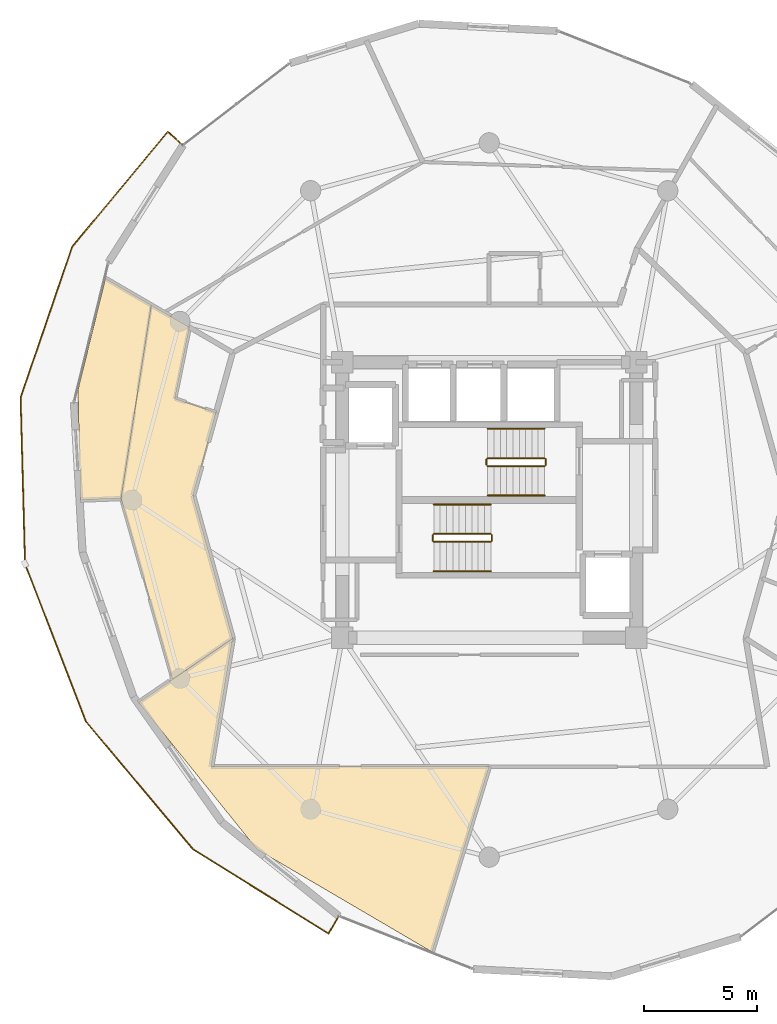
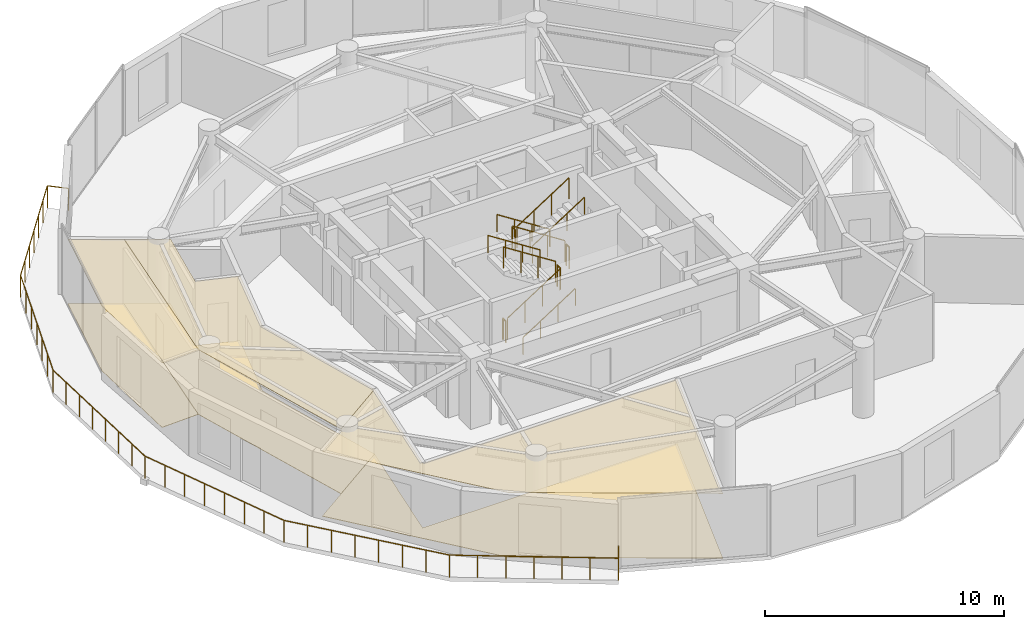
# One storey, part 17 of 18: 13 railings, 6 coverings.
"""IFC4 building model written with IfcOpenShell, lengths in metres."""

from ifc_helpers import new_model, si_unit, direction, frame, origin, origin_2d, place, context, subcontext, project, spatial, polyline, circle, outline, extrude, material, layer, layer_set, type_object, element, save


model = new_model("IFC4")

# Units and contexts
model_context = context("Model", 3, precision=1e-05, world=origin(), true_north=direction((0.0, 1.0)))
body_context = subcontext(model_context, "Body", "Model", "MODEL_VIEW")
ifc_project = project(units=[si_unit("LENGTHUNIT", "METRE"), si_unit("AREAUNIT", "SQUARE_METRE"), si_unit("VOLUMEUNIT", "CUBIC_METRE"), si_unit("PLANEANGLEUNIT", "RADIAN"), si_unit("MASSUNIT", "GRAM", prefix="KILO")], contexts=[model_context])

# Site, building, storey
site_placement = place(None, origin())
site = spatial("IfcSite", under=ifc_project, at=site_placement, CompositionType="ELEMENT")
building_placement = place(site_placement, origin())
building = spatial("IfcBuilding", under=site, at=building_placement, Name="Solvirekh Grand Hotel", CompositionType="ELEMENT")
storey_placement = place(building_placement, frame((0.0, 0.0, 198.39990234375)))
storey = spatial("IfcBuildingStorey", under=building, at=storey_placement, Name="L51", CompositionType="ELEMENT", Elevation=198.39990234375)

# Coverings
ifc_material_1 = material(Name="Acoustic Mineral Ceiling Tile")
ifc_layer_1 = layer(ifc_material_1, 0.02490234375)
ifc_layer_set_1 = layer_set([ifc_layer_1], Name="Acoustic Mineral Ceiling Tile")
covering_type_1 = type_object("IfcCoveringType", Name="Cov_Ceiling_Acoustic", PredefinedType="CEILING", material=ifc_layer_set_1)
covering_1_placement = place(storey_placement, frame((0.0, 0.0, 3.31005859375)))
element("IfcCovering", 1, at=covering_1_placement, inside=storey, type_object=covering_type_1, Name="L51 Executive Suite 5302 Living Room acoustic ceiling", PredefinedType="CEILING", context=body_context, shape_type="SweptSolid", body=[
    extrude(outline(polyline([(-13.904052734375, 4.486083984375), (-13.260009765625, 7.638916015625), (-14.949951171875, 8.6220703125), (-16.2890625, 0.072021484375), (-14.012939453125, -7.93701171875), (-11.344970703125, -6.125), (-13.10009765625, 0.199951171875), (-12.08203125, 3.868896484375), (-13.904052734375, 4.486083984375)])), origin(), (0.0, 0.0, 1.0), 0.01806640625),
])
covering_2_placement = place(storey_placement, frame((0.0, 0.0, 3.31005859375)))
element("IfcCovering", 2, at=covering_2_placement, inside=storey, type_object=covering_type_1, Name="L51 Executive Suite 5302 Master Bedroom acoustic ceiling", PredefinedType="CEILING", context=body_context, shape_type="SweptSolid", body=[
    extrude(outline(polyline([(-16.97802734375, 9.802001953125), (-18.19189453125, 4.875), (-18.0830078125, 0.0), (-16.2890625, 0.072021484375), (-14.949951171875, 8.6220703125), (-16.97802734375, 9.802001953125)])), origin(), (0.0, 0.0, 1.0), 0.01806640625),
])
covering_3_placement = place(storey_placement, frame((0.0, 0.0, 3.31005859375)))
element("IfcCovering", 3, at=covering_3_placement, inside=storey, type_object=covering_type_1, Name="L51 L51 Private Tea & Study Lounge acoustic ceiling", PredefinedType="CEILING", context=body_context, shape_type="SweptSolid", body=[
    extrude(outline(polyline([(-15.512939453125, -8.95703125), (-10.26904296875, -15.4560546875), (-2.52587890625, -19.998046875), (0.0, -11.800048828125), (-12.300048828125, -11.800048828125), (-11.344970703125, -6.125), (-15.512939453125, -8.95703125)])), origin(), (0.0, 0.0, 1.0), 0.01806640625),
])
ifc_material_2 = material(Name="Porcelain Stoneware Flooring", Category="masonry")
ifc_layer_2 = layer(ifc_material_2, 0.030029296875)
ifc_layer_set_2 = layer_set([ifc_layer_2], Name="Porcelain Stoneware Flooring")
covering_type_2 = type_object("IfcCoveringType", Name="Cov_Floor_Stone", PredefinedType="FLOORING", material=ifc_layer_set_2)
covering_4_placement = place(storey_placement, origin())
element("IfcCovering", 4, at=covering_4_placement, inside=storey, type_object=covering_type_2, Name="L51 Executive Suite 5302 Living Room polished granite flooring", PredefinedType="FLOORING", context=body_context, shape_type="SweptSolid", body=[
    extrude(outline(polyline([(-13.904052734375, 4.486083984375), (-13.260009765625, 7.638916015625), (-14.949951171875, 8.6220703125), (-16.2890625, 0.072021484375), (-14.012939453125, -7.93701171875), (-11.344970703125, -6.125), (-13.10009765625, 0.199951171875), (-12.08203125, 3.868896484375), (-13.904052734375, 4.486083984375)])), origin(), (0.0, 0.0, 1.0), 0.02001953125),
])
covering_5_placement = place(storey_placement, origin())
element("IfcCovering", 5, at=covering_5_placement, inside=storey, type_object=covering_type_2, Name="L51 Executive Suite 5302 Master Bedroom polished granite flooring", PredefinedType="FLOORING", context=body_context, shape_type="SweptSolid", body=[
    extrude(outline(polyline([(-16.97802734375, 9.802001953125), (-18.19189453125, 4.875), (-18.0830078125, 0.0), (-16.2890625, 0.072021484375), (-14.949951171875, 8.6220703125), (-16.97802734375, 9.802001953125)])), origin(), (0.0, 0.0, 1.0), 0.02001953125),
])
covering_6_placement = place(storey_placement, origin())
element("IfcCovering", 6, at=covering_6_placement, inside=storey, type_object=covering_type_2, Name="L51 L51 Private Tea & Study Lounge polished granite flooring", PredefinedType="FLOORING", context=body_context, shape_type="SweptSolid", body=[
    extrude(outline(polyline([(-15.512939453125, -8.95703125), (-10.26904296875, -15.4560546875), (-2.52587890625, -19.998046875), (0.0, -11.800048828125), (-12.300048828125, -11.800048828125), (-11.344970703125, -6.125), (-15.512939453125, -8.95703125)])), origin(), (0.0, 0.0, 1.0), 0.02001953125),
])

# Railings
ifc_material_3 = material(Name="Anodized Bronze Aluminium 6063-T6", Category="aluminium")
railing_type_1 = type_object("IfcRailingType", Name="Guard_ExtGlass_1150", PredefinedType="BALUSTRADE", material=ifc_material_3)
railing_1_placement = place(storey_placement, frame((-13.549072265625, 15.694091796875, 0.0)))
element("IfcRailing", 7, at=railing_1_placement, inside=storey, type_object=railing_type_1, Name="L51 balc perimeter glass balustrade", PredefinedType="BALUSTRADE", context=body_context, shape_type="SweptSolid", body=[
    extrude(circle(Radius=0.02392578125, at=origin_2d()), frame((0.0, 0.0, 1.1259765625), z_axis=(-0.739670100641, 0.672969644351, 0.0), x_axis=(-0.672969644351, -0.739670100641, 0.0)), (0.0, 0.0, 1.0), 0.900390625),
    extrude(circle(Radius=0.02392578125, at=origin_2d()), frame((-0.666015625, 0.60595703125, 1.1259765625), z_axis=(-0.639220169137, -0.769023780756, 0.0), x_axis=(0.769023780756, -0.639220169137, 0.0)), (0.0, 0.0, 1.0), 6.628173828125),
    extrude(circle(Radius=0.02392578125, at=origin_2d()), frame((-4.90283203125, -4.4912109375, 1.1259765625), z_axis=(-0.323539260912, -0.946214746582, 0.0), x_axis=(0.946214746582, -0.323539260912, 0.0)), (0.0, 0.0, 1.0), 7.05322265625),
    extrude(circle(Radius=0.02392578125, at=origin_2d()), frame((-7.184814453125, -11.1650390625, 1.1259765625), z_axis=(0.026486487775, -0.999649171442, 0.0), x_axis=(0.999649171442, 0.026486487775, 0.0)), (0.0, 0.0, 1.0), 7.355712890625),
    extrude(circle(Radius=0.02392578125, at=origin_2d()), frame((-6.989990234375, -18.51806640625, 1.1259765625), z_axis=(0.360445140223, -0.932780414079, 0.0), x_axis=(0.932780414079, 0.360445140223, 0.0)), (0.0, 0.0, 1.0), 7.474365234375),
    extrude(circle(Radius=0.02392578125, at=origin_2d()), frame((-4.2958984375, -25.489990234375, 1.1259765625), z_axis=(0.642157857723, -0.766572426953, 0.0), x_axis=(0.766572426953, 0.642157857723, 0.0)), (0.0, 0.0, 1.0), 7.37841796875),
    extrude(circle(Radius=0.02392578125, at=origin_2d()), frame((0.442138671875, -31.14599609375, 1.1259765625), z_axis=(0.84910652918, -0.528221641078, 0.0), x_axis=(0.528221641078, 0.84910652918, 0.0)), (0.0, 0.0, 1.0), 7.0673828125),
    extrude(circle(Radius=0.02392578125, at=origin_2d()), frame((6.443115234375, -34.879150390625, 1.1259765625), z_axis=(0.504326383773, 0.863513114336, 0.0), x_axis=(-0.863513114336, 0.504326383773, 0.0)), (0.0, 0.0, 1.0), 0.89990234375),
    extrude(circle(Radius=0.02099609375, at=origin_2d()), origin(), (0.0, 0.0, 1.0), 1.101806640625),
    extrude(circle(Radius=0.02099609375, at=origin_2d()), frame((-0.666015625, 0.60595703125, 0.0)), (0.0, 0.0, 1.0), 1.101806640625),
    extrude(circle(Radius=0.02099609375, at=origin_2d()), frame((-1.3720703125, -0.24365234375, 0.0)), (0.0, 0.0, 1.0), 1.101806640625),
    extrude(circle(Radius=0.02099609375, at=origin_2d()), frame((-2.078369140625, -1.093017578125, 0.0)), (0.0, 0.0, 1.0), 1.101806640625),
    extrude(circle(Radius=0.02099609375, at=origin_2d()), frame((-2.784423828125, -1.942626953125, 0.0)), (0.0, 0.0, 1.0), 1.101806640625),
    extrude(circle(Radius=0.02099609375, at=origin_2d()), frame((-3.490478515625, -2.792236328125, 0.0)), (0.0, 0.0, 1.0), 1.101806640625),
    extrude(circle(Radius=0.02099609375, at=origin_2d()), frame((-4.19677734375, -3.6416015625, 0.0)), (0.0, 0.0, 1.0), 1.101806640625),
    extrude(circle(Radius=0.02099609375, at=origin_2d()), frame((-4.90283203125, -4.4912109375, 0.0)), (0.0, 0.0, 1.0), 1.101806640625),
    extrude(circle(Radius=0.02099609375, at=origin_2d()), frame((-5.283203125, -5.603515625, 0.0)), (0.0, 0.0, 1.0), 1.101806640625),
    extrude(circle(Radius=0.02099609375, at=origin_2d()), frame((-5.66357421875, -6.7158203125, 0.0)), (0.0, 0.0, 1.0), 1.101806640625),
    extrude(circle(Radius=0.02099609375, at=origin_2d()), frame((-6.0439453125, -7.828125, 0.0)), (0.0, 0.0, 1.0), 1.101806640625),
    extrude(circle(Radius=0.02099609375, at=origin_2d()), frame((-6.424072265625, -8.9404296875, 0.0)), (0.0, 0.0, 1.0), 1.101806640625),
    extrude(circle(Radius=0.02099609375, at=origin_2d()), frame((-6.804443359375, -10.052734375, 0.0)), (0.0, 0.0, 1.0), 1.101806640625),
    extrude(circle(Radius=0.02099609375, at=origin_2d()), frame((-7.184814453125, -11.1650390625, 0.0)), (0.0, 0.0, 1.0), 1.101806640625),
    extrude(circle(Radius=0.02099609375, at=origin_2d()), frame((-7.156982421875, -12.215576171875, 0.0)), (0.0, 0.0, 1.0), 1.101806640625),
    extrude(circle(Radius=0.02099609375, at=origin_2d()), frame((-7.129150390625, -13.265869140625, 0.0)), (0.0, 0.0, 1.0), 1.101806640625),
    extrude(circle(Radius=0.02099609375, at=origin_2d()), frame((-7.101318359375, -14.31640625, 0.0)), (0.0, 0.0, 1.0), 1.101806640625),
    extrude(circle(Radius=0.02099609375, at=origin_2d()), frame((-7.073486328125, -15.36669921875, 0.0)), (0.0, 0.0, 1.0), 1.101806640625),
    extrude(circle(Radius=0.02099609375, at=origin_2d()), frame((-7.045654296875, -16.417236328125, 0.0)), (0.0, 0.0, 1.0), 1.101806640625),
    extrude(circle(Radius=0.02099609375, at=origin_2d()), frame((-7.017822265625, -17.467529296875, 0.0)), (0.0, 0.0, 1.0), 1.101806640625),
    extrude(circle(Radius=0.02099609375, at=origin_2d()), frame((-6.989990234375, -18.51806640625, 0.0)), (0.0, 0.0, 1.0), 1.101806640625),
    extrude(circle(Radius=0.02099609375, at=origin_2d()), frame((-6.605224609375, -19.51416015625, 0.0)), (0.0, 0.0, 1.0), 1.101806640625),
    extrude(circle(Radius=0.02099609375, at=origin_2d()), frame((-6.22021484375, -20.510009765625, 0.0)), (0.0, 0.0, 1.0), 1.101806640625),
    extrude(circle(Radius=0.02099609375, at=origin_2d()), frame((-5.83544921875, -21.506103515625, 0.0)), (0.0, 0.0, 1.0), 1.101806640625),
    extrude(circle(Radius=0.02099609375, at=origin_2d()), frame((-5.450439453125, -22.501953125, 0.0)), (0.0, 0.0, 1.0), 1.101806640625),
    extrude(circle(Radius=0.02099609375, at=origin_2d()), frame((-5.065673828125, -23.498046875, 0.0)), (0.0, 0.0, 1.0), 1.101806640625),
    extrude(circle(Radius=0.02099609375, at=origin_2d()), frame((-4.6806640625, -24.493896484375, 0.0)), (0.0, 0.0, 1.0), 1.101806640625),
    extrude(circle(Radius=0.02099609375, at=origin_2d()), frame((-4.2958984375, -25.489990234375, 0.0)), (0.0, 0.0, 1.0), 1.101806640625),
    extrude(circle(Radius=0.02099609375, at=origin_2d()), frame((-3.619140625, -26.298095703125, 0.0)), (0.0, 0.0, 1.0), 1.101806640625),
    extrude(circle(Radius=0.02099609375, at=origin_2d()), frame((-2.942138671875, -27.10595703125, 0.0)), (0.0, 0.0, 1.0), 1.101806640625),
    extrude(circle(Radius=0.02099609375, at=origin_2d()), frame((-2.265380859375, -27.9140625, 0.0)), (0.0, 0.0, 1.0), 1.101806640625),
    extrude(circle(Radius=0.02099609375, at=origin_2d()), frame((-1.58837890625, -28.721923828125, 0.0)), (0.0, 0.0, 1.0), 1.101806640625),
    extrude(circle(Radius=0.02099609375, at=origin_2d()), frame((-0.91162109375, -29.530029296875, 0.0)), (0.0, 0.0, 1.0), 1.101806640625),
    extrude(circle(Radius=0.02099609375, at=origin_2d()), frame((-0.234619140625, -30.337890625, 0.0)), (0.0, 0.0, 1.0), 1.101806640625),
    extrude(circle(Radius=0.02099609375, at=origin_2d()), frame((0.442138671875, -31.14599609375, 0.0)), (0.0, 0.0, 1.0), 1.101806640625),
    extrude(circle(Radius=0.02099609375, at=origin_2d()), frame((1.4423828125, -31.76806640625, 0.0)), (0.0, 0.0, 1.0), 1.101806640625),
    extrude(circle(Radius=0.02099609375, at=origin_2d()), frame((2.4423828125, -32.390380859375, 0.0)), (0.0, 0.0, 1.0), 1.101806640625),
    extrude(circle(Radius=0.02099609375, at=origin_2d()), frame((3.442626953125, -33.0126953125, 0.0)), (0.0, 0.0, 1.0), 1.101806640625),
    extrude(circle(Radius=0.02099609375, at=origin_2d()), frame((4.44287109375, -33.634765625, 0.0)), (0.0, 0.0, 1.0), 1.101806640625),
    extrude(circle(Radius=0.02099609375, at=origin_2d()), frame((5.44287109375, -34.2568359375, 0.0)), (0.0, 0.0, 1.0), 1.101806640625),
    extrude(circle(Radius=0.02099609375, at=origin_2d()), frame((6.443115234375, -34.879150390625, 0.0)), (0.0, 0.0, 1.0), 1.101806640625),
    extrude(circle(Radius=0.02099609375, at=origin_2d()), frame((6.89697265625, -34.10205078125, 0.0)), (0.0, 0.0, 1.0), 1.101806640625),
])
ifc_material_4 = material(Name="Steel S355", Category="steel")
railing_type_2 = type_object("IfcRailingType", Name="Guard_Stair_1100", PredefinedType="GUARDRAIL", material=ifc_material_4)
railing_2_placement = place(storey_placement, frame((-2.449951171875, -1.85009765625, 0.18017578125)))
element("IfcRailing", 8, at=railing_2_placement, inside=storey, type_object=railing_type_2, Name="L51 ST-1 stair guard 1", PredefinedType="GUARDRAIL", context=body_context, shape_type="SweptSolid", body=[
    extrude(circle(Radius=0.02392578125, at=origin_2d()), frame((0.0, 0.0, 1.076171875), z_axis=(0.841199657755, 0.0, 0.540724639528), x_axis=(0.0, 1.0, 0.0)), (0.0, 0.0, 1.0), 2.995849609375),
    extrude(circle(Radius=0.02099609375, at=origin_2d()), origin(), (0.0, 0.0, 1.0), 1.052001953125),
    extrude(circle(Radius=0.02099609375, at=origin_2d()), frame((0.840087890625, 0.0, 0.5400390625)), (0.0, 0.0, 1.0), 1.052001953125),
    extrude(circle(Radius=0.02099609375, at=origin_2d()), frame((1.679931640625, 0.0, 1.079833984375)), (0.0, 0.0, 1.0), 1.052001953125),
    extrude(circle(Radius=0.02099609375, at=origin_2d()), frame((2.52001953125, 0.0, 1.619873046875)), (0.0, 0.0, 1.0), 1.052001953125),
])
railing_3_placement = place(storey_placement, frame((0.1201171875, -1.800048828125, 1.800048828125)))
element("IfcRailing", 9, at=railing_3_placement, inside=storey, type_object=railing_type_2, Name="L51 ST-1 stair guard 2", PredefinedType="GUARDRAIL", context=body_context, shape_type="SweptSolid", body=[
    extrude(circle(Radius=0.02392578125, at=origin_2d()), frame((0.0, 0.0, 1.076171875), z_axis=(0.0, 1.0, 0.0), x_axis=(-1.0, 0.0, 0.0)), (0.0, 0.0, 1.0), 0.25),
    extrude(circle(Radius=0.02099609375, at=origin_2d()), origin(), (0.0, 0.0, 1.0), 1.052001953125),
    extrude(circle(Radius=0.02099609375, at=origin_2d()), frame((0.0, 0.25, 0.0)), (0.0, 0.0, 1.0), 1.052001953125),
])
railing_4_placement = place(storey_placement, frame((0.070068359375, -1.5, 1.97998046875)))
element("IfcRailing", 10, at=railing_4_placement, inside=storey, type_object=railing_type_2, Name="L51 ST-1 stair guard 3", PredefinedType="GUARDRAIL", context=body_context, shape_type="SweptSolid", body=[
    extrude(circle(Radius=0.02392578125, at=origin_2d()), frame((0.0, 0.0, 1.076171875), z_axis=(-0.841162588446, 0.0, 0.540782303519), x_axis=(0.0, -1.0, 0.0)), (0.0, 0.0, 1.0), 2.995849609375),
    extrude(circle(Radius=0.02099609375, at=origin_2d()), origin(), (0.0, 0.0, 1.0), 1.052001953125),
    extrude(circle(Radius=0.02099609375, at=origin_2d()), frame((-0.840087890625, 0.0, 0.5400390625)), (0.0, 0.0, 1.0), 1.052001953125),
    extrude(circle(Radius=0.02099609375, at=origin_2d()), frame((-1.679931640625, 0.0, 1.080078125)), (0.0, 0.0, 1.0), 1.052001953125),
    extrude(circle(Radius=0.02099609375, at=origin_2d()), frame((-2.52001953125, 0.0, 1.6201171875)), (0.0, 0.0, 1.0), 1.052001953125),
])
railing_5_placement = place(storey_placement, frame((-2.5, -1.800048828125, 0.0)))
element("IfcRailing", 11, at=railing_5_placement, inside=storey, type_object=railing_type_2, Name="L51 ST-1 stair guard 4", PredefinedType="GUARDRAIL", context=body_context, shape_type="SweptSolid", body=[
    extrude(circle(Radius=0.02392578125, at=origin_2d()), frame((0.0, 0.0, 1.076171875), z_axis=(0.0, 1.0, 0.0), x_axis=(-1.0, 0.0, 0.0)), (0.0, 0.0, 1.0), 0.25),
    extrude(circle(Radius=0.02099609375, at=origin_2d()), origin(), (0.0, 0.0, 1.0), 1.052001953125),
    extrude(circle(Radius=0.02099609375, at=origin_2d()), frame((0.0, 0.25, 0.0)), (0.0, 0.0, 1.0), 1.052001953125),
])
railing_6_placement = place(storey_placement, frame((2.449951171875, 1.85009765625, 0.18017578125)))
element("IfcRailing", 12, at=railing_6_placement, inside=storey, type_object=railing_type_2, Name="L51 ST-2 stair guard 1", PredefinedType="GUARDRAIL", context=body_context, shape_type="SweptSolid", body=[
    extrude(circle(Radius=0.02392578125, at=origin_2d()), frame((0.0, 0.0, 1.076171875), z_axis=(-0.841199657755, 0.0, 0.540724639528), x_axis=(0.0, -1.0, 0.0)), (0.0, 0.0, 1.0), 2.995849609375),
    extrude(circle(Radius=0.02099609375, at=origin_2d()), origin(), (0.0, 0.0, 1.0), 1.052001953125),
    extrude(circle(Radius=0.02099609375, at=origin_2d()), frame((-0.840087890625, 0.0, 0.5400390625)), (0.0, 0.0, 1.0), 1.052001953125),
    extrude(circle(Radius=0.02099609375, at=origin_2d()), frame((-1.679931640625, 0.0, 1.079833984375)), (0.0, 0.0, 1.0), 1.052001953125),
    extrude(circle(Radius=0.02099609375, at=origin_2d()), frame((-2.52001953125, 0.0, 1.619873046875)), (0.0, 0.0, 1.0), 1.052001953125),
])
railing_7_placement = place(storey_placement, frame((-0.1201171875, 1.800048828125, 1.800048828125)))
element("IfcRailing", 13, at=railing_7_placement, inside=storey, type_object=railing_type_2, Name="L51 ST-2 stair guard 2", PredefinedType="GUARDRAIL", context=body_context, shape_type="SweptSolid", body=[
    extrude(circle(Radius=0.02392578125, at=origin_2d()), frame((0.0, 0.0, 1.076171875), z_axis=(0.0, -1.0, 0.0), x_axis=(1.0, 0.0, 0.0)), (0.0, 0.0, 1.0), 0.25),
    extrude(circle(Radius=0.02099609375, at=origin_2d()), origin(), (0.0, 0.0, 1.0), 1.052001953125),
    extrude(circle(Radius=0.02099609375, at=origin_2d()), frame((0.0, -0.25, 0.0)), (0.0, 0.0, 1.0), 1.052001953125),
])
railing_8_placement = place(storey_placement, frame((-0.070068359375, 1.5, 1.97998046875)))
element("IfcRailing", 14, at=railing_8_placement, inside=storey, type_object=railing_type_2, Name="L51 ST-2 stair guard 3", PredefinedType="GUARDRAIL", context=body_context, shape_type="SweptSolid", body=[
    extrude(circle(Radius=0.02392578125, at=origin_2d()), frame((0.0, 0.0, 1.076171875), z_axis=(0.841162588446, 0.0, 0.540782303519), x_axis=(0.0, 1.0, 0.0)), (0.0, 0.0, 1.0), 2.995849609375),
    extrude(circle(Radius=0.02099609375, at=origin_2d()), origin(), (0.0, 0.0, 1.0), 1.052001953125),
    extrude(circle(Radius=0.02099609375, at=origin_2d()), frame((0.840087890625, 0.0, 0.5400390625)), (0.0, 0.0, 1.0), 1.052001953125),
    extrude(circle(Radius=0.02099609375, at=origin_2d()), frame((1.679931640625, 0.0, 1.080078125)), (0.0, 0.0, 1.0), 1.052001953125),
    extrude(circle(Radius=0.02099609375, at=origin_2d()), frame((2.52001953125, 0.0, 1.6201171875)), (0.0, 0.0, 1.0), 1.052001953125),
])
railing_9_placement = place(storey_placement, frame((2.5, 1.800048828125, 0.0)))
element("IfcRailing", 15, at=railing_9_placement, inside=storey, type_object=railing_type_2, Name="L51 ST-2 stair guard 4", PredefinedType="GUARDRAIL", context=body_context, shape_type="SweptSolid", body=[
    extrude(circle(Radius=0.02392578125, at=origin_2d()), frame((0.0, 0.0, 1.076171875), z_axis=(0.0, -1.0, 0.0), x_axis=(1.0, 0.0, 0.0)), (0.0, 0.0, 1.0), 0.25),
    extrude(circle(Radius=0.02099609375, at=origin_2d()), origin(), (0.0, 0.0, 1.0), 1.052001953125),
    extrude(circle(Radius=0.02099609375, at=origin_2d()), frame((0.0, -0.25, 0.0)), (0.0, 0.0, 1.0), 1.052001953125),
])
railing_type_3 = type_object("IfcRailingType", Name="Handrail_Wall_900", PredefinedType="HANDRAIL", material=ifc_material_3)
railing_10_placement = place(storey_placement, frame((-2.449951171875, -3.14990234375, 0.18017578125)))
element("IfcRailing", 16, at=railing_10_placement, inside=storey, type_object=railing_type_3, Name="L51 ST-1 stair handrail 1", PredefinedType="HANDRAIL", context=body_context, shape_type="SweptSolid", body=[
    extrude(circle(Radius=0.02392578125, at=origin_2d()), frame((0.0, 0.0, 0.8759765625), z_axis=(0.841199657755, 0.0, 0.540724639528), x_axis=(0.0, 1.0, 0.0)), (0.0, 0.0, 1.0), 2.995849609375),
    extrude(circle(Radius=0.02099609375, at=origin_2d()), origin(), (0.0, 0.0, 1.0), 0.851806640625),
    extrude(circle(Radius=0.02099609375, at=origin_2d()), frame((0.840087890625, 0.0, 0.5400390625)), (0.0, 0.0, 1.0), 0.851806640625),
    extrude(circle(Radius=0.02099609375, at=origin_2d()), frame((1.679931640625, 0.0, 1.079833984375)), (0.0, 0.0, 1.0), 0.851806640625),
    extrude(circle(Radius=0.02099609375, at=origin_2d()), frame((2.52001953125, 0.0, 1.619873046875)), (0.0, 0.0, 1.0), 0.851806640625),
])
railing_11_placement = place(storey_placement, frame((0.070068359375, -0.199951171875, 1.97998046875)))
element("IfcRailing", 17, at=railing_11_placement, inside=storey, type_object=railing_type_3, Name="L51 ST-1 stair handrail 2", PredefinedType="HANDRAIL", context=body_context, shape_type="SweptSolid", body=[
    extrude(circle(Radius=0.02392578125, at=origin_2d()), frame((0.0, 0.0, 0.8759765625), z_axis=(-0.841162588446, 0.0, 0.540782303519), x_axis=(0.0, -1.0, 0.0)), (0.0, 0.0, 1.0), 2.995849609375),
    extrude(circle(Radius=0.02099609375, at=origin_2d()), origin(), (0.0, 0.0, 1.0), 0.851806640625),
    extrude(circle(Radius=0.02099609375, at=origin_2d()), frame((-0.840087890625, 0.0, 0.5400390625)), (0.0, 0.0, 1.0), 0.851806640625),
    extrude(circle(Radius=0.02099609375, at=origin_2d()), frame((-1.679931640625, 0.0, 1.080078125)), (0.0, 0.0, 1.0), 0.851806640625),
    extrude(circle(Radius=0.02099609375, at=origin_2d()), frame((-2.52001953125, 0.0, 1.6201171875)), (0.0, 0.0, 1.0), 0.851806640625),
])
railing_12_placement = place(storey_placement, frame((2.449951171875, 3.14990234375, 0.18017578125)))
element("IfcRailing", 18, at=railing_12_placement, inside=storey, type_object=railing_type_3, Name="L51 ST-2 stair handrail 1", PredefinedType="HANDRAIL", context=body_context, shape_type="SweptSolid", body=[
    extrude(circle(Radius=0.02392578125, at=origin_2d()), frame((0.0, 0.0, 0.8759765625), z_axis=(-0.841199657755, 0.0, 0.540724639528), x_axis=(0.0, -1.0, 0.0)), (0.0, 0.0, 1.0), 2.995849609375),
    extrude(circle(Radius=0.02099609375, at=origin_2d()), origin(), (0.0, 0.0, 1.0), 0.851806640625),
    extrude(circle(Radius=0.02099609375, at=origin_2d()), frame((-0.840087890625, 0.0, 0.5400390625)), (0.0, 0.0, 1.0), 0.851806640625),
    extrude(circle(Radius=0.02099609375, at=origin_2d()), frame((-1.679931640625, 0.0, 1.079833984375)), (0.0, 0.0, 1.0), 0.851806640625),
    extrude(circle(Radius=0.02099609375, at=origin_2d()), frame((-2.52001953125, 0.0, 1.619873046875)), (0.0, 0.0, 1.0), 0.851806640625),
])
railing_13_placement = place(storey_placement, frame((-0.070068359375, 0.199951171875, 1.97998046875)))
element("IfcRailing", 19, at=railing_13_placement, inside=storey, type_object=railing_type_3, Name="L51 ST-2 stair handrail 2", PredefinedType="HANDRAIL", context=body_context, shape_type="SweptSolid", body=[
    extrude(circle(Radius=0.02392578125, at=origin_2d()), frame((0.0, 0.0, 0.8759765625), z_axis=(0.841162588446, 0.0, 0.540782303519), x_axis=(0.0, 1.0, 0.0)), (0.0, 0.0, 1.0), 2.995849609375),
    extrude(circle(Radius=0.02099609375, at=origin_2d()), origin(), (0.0, 0.0, 1.0), 0.851806640625),
    extrude(circle(Radius=0.02099609375, at=origin_2d()), frame((0.840087890625, 0.0, 0.5400390625)), (0.0, 0.0, 1.0), 0.851806640625),
    extrude(circle(Radius=0.02099609375, at=origin_2d()), frame((1.679931640625, 0.0, 1.080078125)), (0.0, 0.0, 1.0), 0.851806640625),
    extrude(circle(Radius=0.02099609375, at=origin_2d()), frame((2.52001953125, 0.0, 1.6201171875)), (0.0, 0.0, 1.0), 0.851806640625),
])

save(model, "model.ifc")
